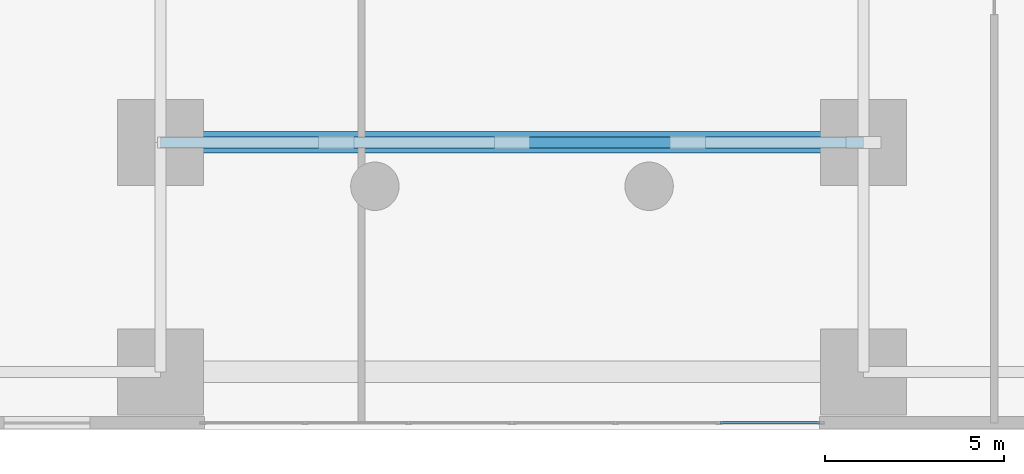
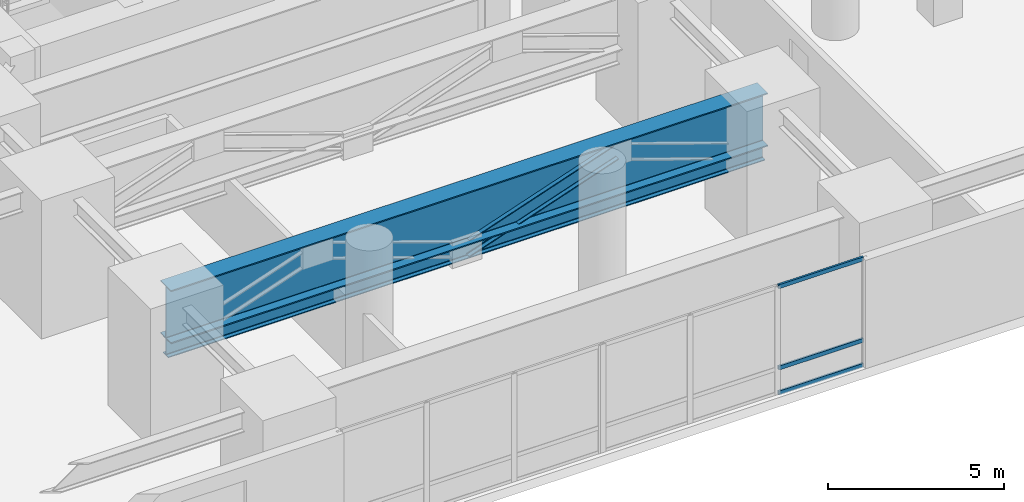
# One storey, part 7 of 17: 5 members, 1 beam, 1 element without a shape of its own.
"""IFC4 building model written with IfcOpenShell, lengths in metres."""

import ifcopenshell
import ifcopenshell.guid

model = None  # the IFC model being written
_history = None  # IfcOwnerHistory: only IFC2X3 demands one
_inside = {}  # id of a spatial element -> (the spatial element, [elements in it])
_under = {}  # id of a project, library or spatial element -> (it, [spatial elements below it])
_declared = {}  # id of a project -> (the project, [libraries it declares])
_typed = {}  # id of a type object -> (the type object, [elements of that type])
_made_of = {}  # id of a material, layer set ... -> (it, [elements and type objects made of it])


def new_model(schema):
    """Start an empty IFC model of exactly this schema.

    Asked for "IFC4X3", IfcOpenShell would pick the latest addendum, in which some entities
    have other attributes; the version numbers below select the first issue.
    IFC2X3 requires an IfcOwnerHistory on every rooted entity: one is made here for all.
    """
    global model, _history
    if schema == "IFC4X3":
        model = ifcopenshell.file(schema_version=(4, 3, 0, 0))
    else:
        model = ifcopenshell.file(schema=schema)
    _inside.clear()
    _under.clear()
    _declared.clear()
    _typed.clear()
    _made_of.clear()
    _history = None
    if model.schema == "IFC2X3":
        org = make("IfcOrganization", Name="unknown")
        user = make(
            "IfcPersonAndOrganization",
            ThePerson=make("IfcPerson", FamilyName="unknown"),
            TheOrganization=org,
        )
        app = make(
            "IfcApplication",
            ApplicationDeveloper=org,
            Version="unknown",
            ApplicationFullName="unknown",
            ApplicationIdentifier="unknown",
        )
        _history = make(
            "IfcOwnerHistory",
            OwningUser=user,
            OwningApplication=app,
            ChangeAction="ADDED",
            CreationDate=0,
        )
    return model


def make(cls, **values):
    """One entity of the class cls with the attributes given. An attribute that is None is left unset."""
    return model.create_entity(
        cls, **{name: value for name, value in values.items() if value is not None}
    )


def rooted(cls, **values):
    """An entity with a GlobalId (a new one), such as an element, a storey or a relation."""
    return make(cls, GlobalId=ifcopenshell.guid.new(), OwnerHistory=_history, **values)


def si_unit(unit_type, name, prefix=None):
    """IfcSIUnit, for example si_unit("LENGTHUNIT", "METRE", prefix="MILLI")."""
    return make("IfcSIUnit", UnitType=unit_type, Prefix=prefix, Name=name)


def assignment(units):
    """IfcUnitAssignment: the units of a project."""
    return None if units is None else make("IfcUnitAssignment", Units=units)


def point(xyz):
    """IfcCartesianPoint."""
    return None if xyz is None else make("IfcCartesianPoint", Coordinates=xyz)


def direction(xyz):
    """IfcDirection."""
    return None if xyz is None else make("IfcDirection", DirectionRatios=xyz)


def frame(location, z_axis=None, x_axis=None):
    """IfcAxis2Placement3D, a coordinate frame: its origin and axes. An axis left out is left unset."""
    return make(
        "IfcAxis2Placement3D",
        Location=point(location),
        Axis=direction(z_axis),
        RefDirection=direction(x_axis),
    )


def frame_2d(location, x_axis=None):
    """IfcAxis2Placement2D, a coordinate frame in the plane: its origin and x axis."""
    return make(
        "IfcAxis2Placement2D", Location=point(location), RefDirection=direction(x_axis)
    )


def origin():
    """The frame at (0, 0, 0) with its axes left unset."""
    return frame((0.0, 0.0, 0.0))


def origin_2d():
    """The frame at (0, 0) in the plane with its x axis left unset."""
    return frame_2d((0.0, 0.0))


def place(relative_to, where):
    """IfcLocalPlacement: puts the frame where relative to a parent placement (None: the world)."""
    return make(
        "IfcLocalPlacement", PlacementRelTo=relative_to, RelativePlacement=where
    )


def context(
    kind, dimensions, precision=None, world=None, true_north=None, identifier=None
):
    """IfcGeometricRepresentationContext, for example the 3D "Model" context."""
    return make(
        "IfcGeometricRepresentationContext",
        ContextIdentifier=identifier,
        ContextType=kind,
        CoordinateSpaceDimension=dimensions,
        Precision=precision,
        WorldCoordinateSystem=world,
        TrueNorth=true_north,
    )


def subcontext(parent, identifier, kind, view, scale=None):
    """IfcGeometricRepresentationSubContext, for example "Body" below "Model"."""
    return make(
        "IfcGeometricRepresentationSubContext",
        ContextIdentifier=identifier,
        ContextType=kind,
        ParentContext=parent,
        TargetScale=scale,
        TargetView=view,
    )


def project(units=None, contexts=None):
    """IfcProject with its units and contexts."""
    return rooted(
        "IfcProject",
        Name="project",
        RepresentationContexts=contexts,
        UnitsInContext=assignment(units),
    )


def spatial(cls, under=None, at=None, **own):
    """A site, building, storey or space (cls), placed at a placement, below another one or the project."""
    s = rooted(cls, ObjectPlacement=at, **own)
    if under is not None:
        _under.setdefault(under.id(), (under, []))[1].append(s)
    return s


def profile(cls, at=None, kind="AREA", **sizes):
    """A parametric profile (cls). Its sizes go by their IFC names, for example OverallWidth=200.0."""
    return make(cls, ProfileType=kind, Position=at, **sizes)


def hollow_rectangle(**sizes):
    """IfcRectangleHollowProfileDef."""
    return profile("IfcRectangleHollowProfileDef", **sizes)


def i_section(**sizes):
    """IfcIShapeProfileDef."""
    return profile("IfcIShapeProfileDef", **sizes)


def extrude(swept, where, along, depth):
    """IfcExtrudedAreaSolid: the profile swept, set in the frame where, extruded along a direction by depth."""
    return make(
        "IfcExtrudedAreaSolid",
        SweptArea=swept,
        Position=where,
        ExtrudedDirection=direction(along),
        Depth=depth,
    )


def shape(context_of_items, identifier, shape_type, items):
    """IfcShapeRepresentation: the items that make up one representation, for example the "Body"."""
    return make(
        "IfcShapeRepresentation",
        ContextOfItems=context_of_items,
        RepresentationIdentifier=identifier,
        RepresentationType=shape_type,
        Items=items,
    )


def material(Name=None, Category=None):
    """IfcMaterial."""
    return make("IfcMaterial", Name=Name, Category=Category)


def layer(
    of_material, thickness, ventilated=None, Name=None, Category=None, Priority=None
):
    """IfcMaterialLayer: one layer of a wall or slab, of a material (None: an air gap)."""
    return make(
        "IfcMaterialLayer",
        Material=of_material,
        LayerThickness=thickness,
        IsVentilated=ventilated,
        Name=Name,
        Category=Category,
        Priority=Priority,
    )


def layer_set(layers, Name=None):
    """IfcMaterialLayerSet."""
    return make("IfcMaterialLayerSet", MaterialLayers=layers, LayerSetName=Name)


def material_profile(
    of_material, cross_section, Name=None, Category=None, Priority=None
):
    """IfcMaterialProfile: a cross section and its material."""
    return make(
        "IfcMaterialProfile",
        Name=Name,
        Material=of_material,
        Profile=cross_section,
        Priority=Priority,
        Category=Category,
    )


def profile_set(profiles, Name=None, composite=None):
    """IfcMaterialProfileSet."""
    return make(
        "IfcMaterialProfileSet",
        Name=Name,
        MaterialProfiles=profiles,
        CompositeProfile=composite,
    )


def made_of(thing, what):
    """Note that an element or type object is made of a material, layer set ...; save() writes the relation."""
    if what is not None:
        _made_of.setdefault(what.id(), (what, []))[1].append(thing)
    return thing


def type_object(cls, material=None, **own):
    """A type object (cls), such as IfcWallType, which elements share."""
    return made_of(rooted(cls, **own), material)


def element(
    cls,
    number,
    at=None,
    inside=None,
    cuts=None,
    type_object=None,
    material=None,
    context=None,
    identifier="Body",
    shape_type=None,
    held_by="IfcProductDefinitionShape",
    body=None,
    shapes=None,
    **own,
):
    """One element of the class cls, such as IfcWall. Its Tag is "e" and its number.

    at: its placement. inside: the storey or other place that contains it. cuts: it is an
    opening in that element (IfcRelVoidsElement). A single representation is given by context,
    identifier, shape_type and body (its items); several are given by shapes. held_by: the class
    of the entity that holds the representations. save() writes the other relations.
    """
    e = rooted(cls, Tag="e%d" % number, ObjectPlacement=at, **own)
    if body is not None:
        shapes = [shape(context, identifier, shape_type, body)]
    if shapes is not None:
        e.Representation = make(held_by, Representations=shapes)
    if inside is not None:
        _inside.setdefault(inside.id(), (inside, []))[1].append(e)
    if cuts is not None:
        rooted(
            "IfcRelVoidsElement", RelatingBuildingElement=cuts, RelatedOpeningElement=e
        )
    if type_object is not None:
        _typed.setdefault(type_object.id(), (type_object, []))[1].append(e)
    return made_of(e, material)


def aggregate(whole, parts):
    """IfcRelAggregates: a whole, such as a stair, and the parts it consists of."""
    return rooted("IfcRelAggregates", RelatingObject=whole, RelatedObjects=parts)


def save(model, path):
    """Write the relations noted so far, then the file.

    IfcRelAggregates (storeys below a building ...), IfcRelContainedInSpatialStructure (elements
    in a storey), IfcRelDefinesByType, IfcRelAssociatesMaterial and IfcRelDeclares: one each for
    every whole, place, type object, material and project.
    """
    for whole, parts in _under.values():
        aggregate(whole, parts)
    for where, things in _inside.values():
        rooted(
            "IfcRelContainedInSpatialStructure",
            RelatedElements=things,
            RelatingStructure=where,
        )
    for kind, things in _typed.values():
        rooted("IfcRelDefinesByType", RelatedObjects=things, RelatingType=kind)
    for what, things in _made_of.values():
        rooted("IfcRelAssociatesMaterial", RelatedObjects=things, RelatingMaterial=what)
    for by, libraries in _declared.values():
        rooted("IfcRelDeclares", RelatingContext=by, RelatedDefinitions=libraries)
    model.write(path)


model = new_model("IFC4")

# Units and contexts
model_context = context("Model", 3, precision=1e-05, world=origin(), true_north=direction((0.0, 1.0)))
body_context = subcontext(model_context, "Body", "Model", "MODEL_VIEW")
ifc_project = project(units=[si_unit("LENGTHUNIT", "METRE"), si_unit("AREAUNIT", "SQUARE_METRE"), si_unit("VOLUMEUNIT", "CUBIC_METRE"), si_unit("PLANEANGLEUNIT", "RADIAN"), si_unit("MASSUNIT", "GRAM", prefix="KILO"), si_unit("THERMODYNAMICTEMPERATUREUNIT", "KELVIN"), si_unit("POWERUNIT", "WATT")], contexts=[model_context])

# Site, building, storey
site_placement = place(None, origin())
site = spatial("IfcSite", under=ifc_project, at=site_placement, CompositionType="ELEMENT")
building_placement = place(site_placement, origin())
building = spatial("IfcBuilding", under=site, at=building_placement, Name="Ocrelia Relay Tower", CompositionType="ELEMENT")
storey_placement = place(building_placement, frame((0.0, 0.0, 15.60009765625)))
storey = spatial("IfcBuildingStorey", under=building, at=storey_placement, Name="L03", CompositionType="ELEMENT", Elevation=15.60009765625)

# Beam
ifc_material_1 = material(Name="Steel S355", Category="steel")
ifc_material_profile_1 = material_profile(ifc_material_1, i_section(OverallWidth=0.60009765625, OverallDepth=1.85009765625, WebThickness=0.028076171875, FlangeThickness=0.0400390625, FilletRadius=0.02001953125, at=origin_2d()), Name="WPG 1850x600")
ifc_profile_set_1 = profile_set([ifc_material_profile_1], Name="Steel S355")
beam_type = type_object("IfcBeamType", Name="BM-WPG1650", PredefinedType="T_BEAM", material=ifc_profile_set_1)
beam_placement = place(storey_placement, frame((24.199951171875, 8.0, 3.554931640625), z_axis=(1.0, 0.0, 0.0), x_axis=(0.0, 1.0, 0.0)))
element("IfcBeam", 1, at=beam_placement, inside=storey, type_object=beam_type, Name="L03 Portal Arch Span Transfer Girder G2", PredefinedType="T_BEAM", context=body_context, shape_type="SweptSolid", body=[
    extrude(i_section(OverallWidth=0.60009765625, OverallDepth=1.85009765625, WebThickness=0.028076171875, FlangeThickness=0.0400390625, FilletRadius=0.02001953125, at=origin_2d()), origin(), (0.0, 0.0, 1.0), 19.60009765625),
])

# Curtain wall, members
ifc_material_2 = material(Name="Aluminium and solar-control low-E glass", Category="aluminium")
ifc_layer = layer(ifc_material_2, 0.179931640625, Name="Aluminium and solar-control low-E glass")
ifc_layer_set = layer_set([ifc_layer], Name="Aluminium and solar-control low-E glass")
curtain_wall_type = type_object("IfcCurtainWallType", Name="CW-SYS-POD-GALL", PredefinedType="NOTDEFINED", material=ifc_layer_set)
curtain_wall_placement = place(storey_placement, origin())
curtain_wall = element("IfcCurtainWall", 2, at=curtain_wall_placement, inside=storey, type_object=curtain_wall_type, Name="L03 South Over-Arch Curtain Wall East", PredefinedType="NOTDEFINED")
ifc_material_3 = material(Name="Anodised bronze aluminium", Category="aluminium")
ifc_material_profile_2 = material_profile(ifc_material_3, hollow_rectangle(XDim=0.06494140625, YDim=0.139892578125, WallThickness=0.0048828125, at=origin_2d()), Name="CW-TRN-140x65")
ifc_profile_set_2 = profile_set([ifc_material_profile_2], Name="Anodised bronze aluminium")
member_type_1 = type_object("IfcMemberType", Name="CW-SYS-POD-GALL-TRN", PredefinedType="USERDEFINED", material=ifc_profile_set_2)
member_1_placement = place(storey_placement, frame((39.8017578125, 0.179931640625, 0.032470703125), z_axis=(1.0, 0.0, 0.0), x_axis=(0.0, 1.0, 0.0)))
member_1 = element("IfcMember", 3, at=member_1_placement, type_object=member_type_1, Name="CW-PG transom 3.1", ObjectType="TRANSOM", PredefinedType="USERDEFINED", context=body_context, shape_type="SweptSolid", body=[
    extrude(hollow_rectangle(XDim=0.06494140625, YDim=0.139892578125, WallThickness=0.0048828125, at=origin_2d()), origin(), (0.0, 0.0, 1.0), 2.7783203125),
])
member_2_placement = place(storey_placement, frame((39.8017578125, 0.179931640625, 0.89990234375), z_axis=(1.0, 0.0, 0.0), x_axis=(0.0, 1.0, 0.0)))
member_2 = element("IfcMember", 4, at=member_2_placement, type_object=member_type_1, Name="CW-PG transom 3.2", ObjectType="TRANSOM", PredefinedType="USERDEFINED", context=body_context, shape_type="SweptSolid", body=[
    extrude(hollow_rectangle(XDim=0.06494140625, YDim=0.139892578125, WallThickness=0.0048828125, at=origin_2d()), origin(), (0.0, 0.0, 1.0), 2.7783203125),
])
member_3_placement = place(storey_placement, frame((39.8017578125, 0.179931640625, 3.727294921875), z_axis=(1.0, 0.0, 0.0), x_axis=(0.0, 1.0, 0.0)))
member_3 = element("IfcMember", 5, at=member_3_placement, type_object=member_type_1, Name="CW-PG transom 3.3", ObjectType="TRANSOM", PredefinedType="USERDEFINED", context=body_context, shape_type="SweptSolid", body=[
    extrude(hollow_rectangle(XDim=0.06494140625, YDim=0.139892578125, WallThickness=0.0048828125, at=origin_2d()), origin(), (0.0, 0.0, 1.0), 2.7783203125),
])
aggregate(curtain_wall, [member_1, member_2, member_3])

# Members
ifc_material_profile_3 = material_profile(ifc_material_1, i_section(OverallWidth=0.300048828125, OverallDepth=0.550048828125, WebThickness=0.014892578125, FlangeThickness=0.029052734375, FilletRadius=0.027099609375, at=origin_2d()), Name="HEB 550")
ifc_profile_set_3 = profile_set([ifc_material_profile_3], Name="Steel S355")
member_type_2 = type_object("IfcMemberType", Name="MB-ARCH-DIAG", PredefinedType="BRACE", material=ifc_profile_set_3)
member_4_placement = place(storey_placement, frame((34.0, 8.0, 2.349853515625), z_axis=(0.945948011629, 0.0, 0.324318299353), x_axis=(0.0, 1.0, 0.0)))
element("IfcMember", 6, at=member_4_placement, inside=storey, type_object=member_type_2, Name="L03 Warren Transfer Truss Diagonal S-3", PredefinedType="BRACE", context=body_context, shape_type="SweptSolid", body=[
    extrude(i_section(OverallWidth=0.300048828125, OverallDepth=0.550048828125, WebThickness=0.014892578125, FlangeThickness=0.029052734375, FilletRadius=0.027099609375, at=origin_2d()), origin(), (0.0, 0.0, 1.0), 5.179931640625),
])
ifc_material_profile_4 = material_profile(ifc_material_1, i_section(OverallWidth=0.300048828125, OverallDepth=0.60009765625, WebThickness=0.015380859375, FlangeThickness=0.030029296875, FilletRadius=0.027099609375, at=origin_2d()), Name="HEB 600")
ifc_profile_set_4 = profile_set([ifc_material_profile_4], Name="Steel S355")
member_type_3 = type_object("IfcMemberType", Name="MB-TRUSS-CHORD", PredefinedType="CHORD", material=ifc_profile_set_4)
member_5_placement = place(storey_placement, frame((24.199951171875, 8.0, 2.349853515625), z_axis=(1.0, 0.0, 0.0), x_axis=(0.0, 1.0, 0.0)))
element("IfcMember", 7, at=member_5_placement, inside=storey, type_object=member_type_3, Name="L03 Warren Transfer Truss Chord S", PredefinedType="CHORD", context=body_context, shape_type="SweptSolid", body=[
    extrude(i_section(OverallWidth=0.300048828125, OverallDepth=0.60009765625, WebThickness=0.015380859375, FlangeThickness=0.030029296875, FilletRadius=0.027099609375, at=origin_2d()), origin(), (0.0, 0.0, 1.0), 19.60009765625),
])

save(model, "model.ifc")
